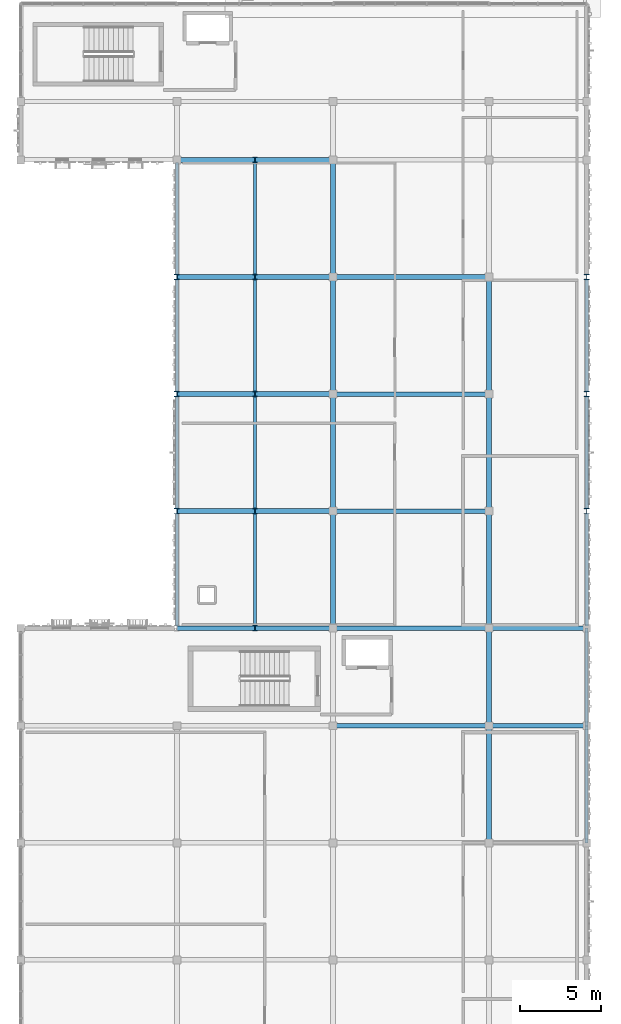
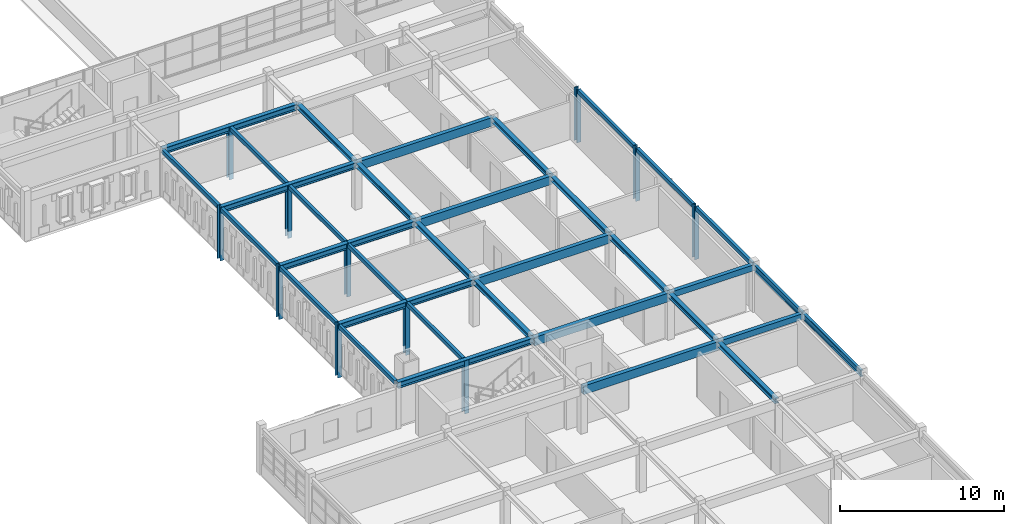
# One storey, part 14 of 53: 34 beams, 11 members.
"""IFC4 building model written with IfcOpenShell, lengths in metres."""

from ifc_helpers import new_model, si_unit, direction, frame, origin, origin_2d, place, context, subcontext, project, spatial, rectangle, hollow_rectangle, i_section, extrude, material, material_profile, profile_set, type_object, element, save


model = new_model("IFC4")

# Units and contexts
model_context = context("Model", 3, precision=1e-05, world=origin(), true_north=direction((0.0, 1.0)))
body_context = subcontext(model_context, "Body", "Model", "MODEL_VIEW")
ifc_project = project(units=[si_unit("LENGTHUNIT", "METRE"), si_unit("AREAUNIT", "SQUARE_METRE"), si_unit("VOLUMEUNIT", "CUBIC_METRE"), si_unit("PLANEANGLEUNIT", "RADIAN"), si_unit("MASSUNIT", "GRAM", prefix="KILO")], contexts=[model_context])

# Site, building, storey
site_placement = place(None, origin())
site = spatial("IfcSite", under=ifc_project, at=site_placement, CompositionType="ELEMENT")
building_placement = place(site_placement, origin())
building = spatial("IfcBuilding", under=site, at=building_placement, Name="Nzembalo Square Collegiate School", CompositionType="ELEMENT")
storey_placement = place(building_placement, frame((0.0, 0.0, 13.60009765625)))
storey = spatial("IfcBuildingStorey", under=building, at=storey_placement, Name="L03", CompositionType="ELEMENT", Elevation=13.60009765625)

# Beams
ifc_material_1 = material(Name="Glulam GL32h", Category="wood")
ifc_material_profile_1 = material_profile(ifc_material_1, rectangle(XDim=0.280029296875, YDim=0.639892578125, at=origin_2d()), Name="GL32h 280x640")
ifc_profile_set_1 = profile_set([ifc_material_profile_1], Name="Glulam GL32h")
beam_type_1 = type_object("IfcBeamType", Name="B04", PredefinedType="BEAM", material=ifc_profile_set_1)
for number, where, z_axis, x_axis, name in (
    (1, (150.0, 44.39990234375, 3.135009765625), (1.0, 0.0, 0.0), (0.0, 1.0, 0.0), "Beam B04 L03"),
    (2, (150.0, 50.39990234375, 3.135009765625), (1.0, 0.0, 0.0), (0.0, 1.0, 0.0), "Beam B04 L03"),
    (3, (150.0, 57.60009765625, 3.135009765625), (1.0, 0.0, 0.0), (0.0, 1.0, 0.0), "Beam B04 L03"),
    (4, (150.0, 64.800048828125, 3.135009765625), (1.0, 0.0, 0.0), (0.0, 1.0, 0.0), "Beam B04 L03"),
    (5, (150.0, 72.0, 3.135009765625), (1.0, 0.0, 0.0), (0.0, 1.0, 0.0), "Beam B04 L03"),
):
    element("IfcBeam", number, at=place(storey_placement, frame(where, z_axis=z_axis, x_axis=x_axis)), inside=storey, type_object=beam_type_1, Name=name, PredefinedType="BEAM", context=body_context, shape_type="SweptSolid", body=[
        extrude(rectangle(XDim=0.280029296875, YDim=0.639892578125, at=origin_2d()), origin(), (0.0, 0.0, 1.0), 9.60009765625),
    ])
ifc_material_2 = material(Name="Steel S355", Category="steel")
ifc_material_profile_2 = material_profile(ifc_material_2, i_section(OverallWidth=0.300048828125, OverallDepth=0.449951171875, WebThickness=0.013916015625, FlangeThickness=0.02587890625, at=origin_2d()), Name="HEB 450")
ifc_profile_set_2 = profile_set([ifc_material_profile_2], Name="Steel S355")
beam_type_2 = type_object("IfcBeamType", Name="B08", PredefinedType="BEAM", material=ifc_profile_set_2)
for number, where, z_axis, x_axis, name in (
    (6, (150.0, 50.39990234375, 3.22998046875), (-1.0, 0.0, 0.0), (0.0, -1.0, 0.0), "Cantilever girder B08 4B L03"),
    (7, (150.0, 57.60009765625, 3.22998046875), (-1.0, 0.0, 0.0), (0.0, -1.0, 0.0), "Cantilever girder B08 4B L03"),
    (8, (150.0, 64.800048828125, 3.22998046875), (-1.0, 0.0, 0.0), (0.0, -1.0, 0.0), "Cantilever girder B08 4B L03"),
    (9, (150.0, 72.0, 3.22998046875), (-1.0, 0.0, 0.0), (0.0, -1.0, 0.0), "Cantilever girder B08 4B L03"),
    (10, (150.0, 79.199951171875, 3.22998046875), (-1.0, 0.0, 0.0), (0.0, -1.0, 0.0), "Cantilever girder B08 4B L03"),
):
    element("IfcBeam", number, at=place(storey_placement, frame(where, z_axis=z_axis, x_axis=x_axis)), inside=storey, type_object=beam_type_2, Name=name, PredefinedType="BEAM", context=body_context, shape_type="SweptSolid", body=[
        extrude(i_section(OverallWidth=0.300048828125, OverallDepth=0.449951171875, WebThickness=0.013916015625, FlangeThickness=0.02587890625, at=origin_2d()), origin(), (0.0, 0.0, 1.0), 9.60009765625),
    ])
ifc_material_3 = material(Name="Steel S355", Category="steel")
ifc_material_profile_3 = material_profile(ifc_material_3, i_section(OverallWidth=0.18994140625, OverallDepth=0.449951171875, WebThickness=0.009521484375, FlangeThickness=0.0146484375, at=origin_2d()), Name="IPE 450")
ifc_profile_set_3 = profile_set([ifc_material_profile_3], Name="Steel S355")
beam_type_3 = type_object("IfcBeamType", Name="B09", PredefinedType="BEAM", material=ifc_profile_set_3)
beam_1_placement = place(storey_placement, frame((165.60009765625, 37.199951171875, 3.22998046875), z_axis=(0.0, 1.0, 0.0), x_axis=(-1.0, 0.0, 0.0)))
element("IfcBeam", 11, at=beam_1_placement, inside=storey, type_object=beam_type_3, Name="Beam B09 L03", PredefinedType="BEAM", context=body_context, shape_type="SweptSolid", body=[
    extrude(i_section(OverallWidth=0.18994140625, OverallDepth=0.449951171875, WebThickness=0.009521484375, FlangeThickness=0.0146484375, at=origin_2d()), origin(), (0.0, 0.0, 1.0), 7.199951171875),
])
beam_2_placement = place(storey_placement, frame((165.60009765625, 44.39990234375, 3.22998046875), z_axis=(0.0, 1.0, 0.0), x_axis=(-1.0, 0.0, 0.0)))
element("IfcBeam", 12, at=beam_2_placement, inside=storey, type_object=beam_type_3, Name="Beam B09 L03", PredefinedType="BEAM", context=body_context, shape_type="SweptSolid", body=[
    extrude(i_section(OverallWidth=0.18994140625, OverallDepth=0.449951171875, WebThickness=0.009521484375, FlangeThickness=0.0146484375, at=origin_2d()), origin(), (0.0, 0.0, 1.0), 6.0),
])
ifc_material_4 = material(Name="Steel S355", Category="steel")
ifc_material_profile_4 = material_profile(ifc_material_4, i_section(OverallWidth=0.300048828125, OverallDepth=0.35009765625, WebThickness=0.010009765625, FlangeThickness=0.017578125, at=origin_2d()), Name="HEA 360")
ifc_profile_set_4 = profile_set([ifc_material_profile_4], Name="Steel S355")
beam_type_4 = type_object("IfcBeamType", Name="B12", PredefinedType="BEAM", material=ifc_profile_set_4)
beam_3_placement = place(storey_placement, frame((150.0, 50.39990234375, 3.27978515625), z_axis=(0.0, 1.0, 0.0), x_axis=(-1.0, 0.0, 0.0)))
element("IfcBeam", 13, at=beam_3_placement, inside=storey, type_object=beam_type_4, Name="Beam B12 L03", PredefinedType="BEAM", context=body_context, shape_type="SweptSolid", body=[
    extrude(i_section(OverallWidth=0.300048828125, OverallDepth=0.35009765625, WebThickness=0.010009765625, FlangeThickness=0.017578125, at=origin_2d()), origin(), (0.0, 0.0, 1.0), 7.2001953125),
])
for number, where, z_axis, x_axis, name in (
    (14, (150.0, 57.60009765625, 3.27978515625), (0.0, 1.0, 0.0), (-1.0, 0.0, 0.0), "Beam B12 L03"),
    (15, (150.0, 64.800048828125, 3.27978515625), (0.0, 1.0, 0.0), (-1.0, 0.0, 0.0), "Beam B12 L03"),
    (16, (150.0, 72.0, 3.27978515625), (0.0, 1.0, 0.0), (-1.0, 0.0, 0.0), "Beam B12 L03"),
    (17, (159.60009765625, 37.199951171875, 3.27978515625), (0.0, 1.0, 0.0), (-1.0, 0.0, 0.0), "Beam B12 L03"),
):
    element("IfcBeam", number, at=place(storey_placement, frame(where, z_axis=z_axis, x_axis=x_axis)), inside=storey, type_object=beam_type_4, Name=name, PredefinedType="BEAM", context=body_context, shape_type="SweptSolid", body=[
        extrude(i_section(OverallWidth=0.300048828125, OverallDepth=0.35009765625, WebThickness=0.010009765625, FlangeThickness=0.017578125, at=origin_2d()), origin(), (0.0, 0.0, 1.0), 7.199951171875),
    ])
beam_4_placement = place(storey_placement, frame((159.60009765625, 44.39990234375, 3.27978515625), z_axis=(0.0, 1.0, 0.0), x_axis=(-1.0, 0.0, 0.0)))
element("IfcBeam", 18, at=beam_4_placement, inside=storey, type_object=beam_type_4, Name="Beam B12 L03", PredefinedType="BEAM", context=body_context, shape_type="SweptSolid", body=[
    extrude(i_section(OverallWidth=0.300048828125, OverallDepth=0.35009765625, WebThickness=0.010009765625, FlangeThickness=0.017578125, at=origin_2d()), origin(), (0.0, 0.0, 1.0), 6.0),
])
beam_5_placement = place(storey_placement, frame((159.60009765625, 50.39990234375, 3.27978515625), z_axis=(0.0, 1.0, 0.0), x_axis=(-1.0, 0.0, 0.0)))
element("IfcBeam", 19, at=beam_5_placement, inside=storey, type_object=beam_type_4, Name="Beam B12 L03", PredefinedType="BEAM", context=body_context, shape_type="SweptSolid", body=[
    extrude(i_section(OverallWidth=0.300048828125, OverallDepth=0.35009765625, WebThickness=0.010009765625, FlangeThickness=0.017578125, at=origin_2d()), origin(), (0.0, 0.0, 1.0), 7.2001953125),
])
for number, where, z_axis, x_axis, name in (
    (20, (159.60009765625, 57.60009765625, 3.27978515625), (0.0, 1.0, 0.0), (-1.0, 0.0, 0.0), "Beam B12 L03"),
    (21, (159.60009765625, 64.800048828125, 3.27978515625), (0.0, 1.0, 0.0), (-1.0, 0.0, 0.0), "Beam B12 L03"),
):
    element("IfcBeam", number, at=place(storey_placement, frame(where, z_axis=z_axis, x_axis=x_axis)), inside=storey, type_object=beam_type_4, Name=name, PredefinedType="BEAM", context=body_context, shape_type="SweptSolid", body=[
        extrude(i_section(OverallWidth=0.300048828125, OverallDepth=0.35009765625, WebThickness=0.010009765625, FlangeThickness=0.017578125, at=origin_2d()), origin(), (0.0, 0.0, 1.0), 7.199951171875),
    ])
ifc_material_5 = material(Name="Glulam GL32h", Category="wood")
ifc_material_profile_5 = material_profile(ifc_material_5, rectangle(XDim=0.280029296875, YDim=0.43994140625, at=origin_2d()), Name="GL32h 280x440")
ifc_profile_set_5 = profile_set([ifc_material_profile_5], Name="Glulam GL32h")
beam_type_5 = type_object("IfcBeamType", Name="B14", PredefinedType="BEAM", material=ifc_profile_set_5)
for number, where, z_axis, x_axis, name in (
    (22, (159.60009765625, 44.39990234375, 3.23486328125), (1.0, 0.0, 0.0), (0.0, 1.0, 0.0), "Beam B14 L03"),
    (23, (159.60009765625, 50.39990234375, 3.23486328125), (1.0, 0.0, 0.0), (0.0, 1.0, 0.0), "Beam B14 L03"),
):
    element("IfcBeam", number, at=place(storey_placement, frame(where, z_axis=z_axis, x_axis=x_axis)), inside=storey, type_object=beam_type_5, Name=name, PredefinedType="BEAM", context=body_context, shape_type="SweptSolid", body=[
        extrude(rectangle(XDim=0.280029296875, YDim=0.43994140625, at=origin_2d()), origin(), (0.0, 0.0, 1.0), 6.0),
    ])
ifc_material_6 = material(Name="Steel S355", Category="steel")
ifc_material_profile_6 = material_profile(ifc_material_6, hollow_rectangle(XDim=0.199951171875, YDim=0.300048828125, WallThickness=0.011962890625, at=origin_2d()), Name="RHS 300x200x12")
ifc_profile_set_6 = profile_set([ifc_material_profile_6], Name="Steel S355")
beam_type_6 = type_object("IfcBeamType", Name="SP03", PredefinedType="SPANDREL", material=ifc_profile_set_6)
for number, where, z_axis, x_axis, name in (
    (24, (165.60009765625, 50.550048828125, 3.304931640625), (0.0, 1.0, 0.0), (-1.0, 0.0, 0.0), "Cantilever edge beam SP03 4B L03"),
    (25, (140.39990234375, 50.550048828125, 3.304931640625), (0.0, 1.0, 0.0), (-1.0, 0.0, 0.0), "Cantilever edge beam SP03 4B L03"),
    (26, (145.199951171875, 50.550048828125, 3.304931640625), (0.0, 1.0, 0.0), (-1.0, 0.0, 0.0), "Cantilever edge beam SP03 4B L03"),
    (27, (165.60009765625, 57.75, 3.304931640625), (0.0, 1.0, 0.0), (-1.0, 0.0, 0.0), "Cantilever edge beam SP03 4B L03"),
    (28, (140.39990234375, 57.75, 3.304931640625), (0.0, 1.0, 0.0), (-1.0, 0.0, 0.0), "Cantilever edge beam SP03 4B L03"),
    (29, (145.199951171875, 57.75, 3.304931640625), (0.0, 1.0, 0.0), (-1.0, 0.0, 0.0), "Cantilever edge beam SP03 4B L03"),
):
    element("IfcBeam", number, at=place(storey_placement, frame(where, z_axis=z_axis, x_axis=x_axis)), inside=storey, type_object=beam_type_6, Name=name, PredefinedType="SPANDREL", context=body_context, shape_type="SweptSolid", body=[
        extrude(hollow_rectangle(XDim=0.199951171875, YDim=0.300048828125, WallThickness=0.011962890625, at=origin_2d()), origin(), (0.0, 0.0, 1.0), 6.89990234375),
    ])
for number, where, z_axis, x_axis, name in (
    (30, (165.60009765625, 64.949951171875, 3.304931640625), (0.0, 1.0, 0.0), (-1.0, 0.0, 0.0), "Cantilever edge beam SP03 4B L03"),
    (31, (140.39990234375, 64.949951171875, 3.304931640625), (0.0, 1.0, 0.0), (-1.0, 0.0, 0.0), "Cantilever edge beam SP03 4B L03"),
    (32, (145.199951171875, 64.949951171875, 3.304931640625), (0.0, 1.0, 0.0), (-1.0, 0.0, 0.0), "Cantilever edge beam SP03 4B L03"),
    (33, (140.39990234375, 72.14990234375, 3.304931640625), (0.0, 1.0, 0.0), (-1.0, 0.0, 0.0), "Cantilever edge beam SP03 4B L03"),
    (34, (145.199951171875, 72.14990234375, 3.304931640625), (0.0, 1.0, 0.0), (-1.0, 0.0, 0.0), "Cantilever edge beam SP03 4B L03"),
):
    element("IfcBeam", number, at=place(storey_placement, frame(where, z_axis=z_axis, x_axis=x_axis)), inside=storey, type_object=beam_type_6, Name=name, PredefinedType="SPANDREL", context=body_context, shape_type="SweptSolid", body=[
        extrude(hollow_rectangle(XDim=0.199951171875, YDim=0.300048828125, WallThickness=0.011962890625, at=origin_2d()), origin(), (0.0, 0.0, 1.0), 6.900146484375),
    ])

# Members
ifc_material_7 = material(Name="Steel S355", Category="steel")
ifc_material_profile_7 = material_profile(ifc_material_7, i_section(OverallWidth=0.300048828125, OverallDepth=0.340087890625, WebThickness=0.011962890625, FlangeThickness=0.021484375, at=origin_2d()), Name="HEB 340")
ifc_profile_set_7 = profile_set([ifc_material_profile_7], Name="Steel S355")
member_type = type_object("IfcMemberType", Name="TP03", PredefinedType="POST", material=ifc_profile_set_7)
for number, where, z_axis, x_axis, name in (
    (35, (145.199951171875, 50.39990234375, -0.52001953125), (0.0, 0.0, 1.0), (1.0, 0.0, 0.0), "TT-4B-01 upper pavilion post L03-3"),
    (36, (165.60009765625, 57.60009765625, -0.52001953125), (0.0, 0.0, 1.0), (1.0, 0.0, 0.0), "TT-4B-02 upper pavilion post L03-0"),
    (37, (145.199951171875, 57.60009765625, -0.52001953125), (0.0, 0.0, 1.0), (1.0, 0.0, 0.0), "TT-4B-02 upper pavilion post L03-3"),
    (38, (140.39990234375, 57.60009765625, -0.52001953125), (0.0, 0.0, 1.0), (1.0, 0.0, 0.0), "TT-4B-02 upper pavilion post L03-4"),
    (39, (165.60009765625, 64.800048828125, -0.52001953125), (0.0, 0.0, 1.0), (1.0, 0.0, 0.0), "TT-4B-03 upper pavilion post L03-0"),
    (40, (145.199951171875, 64.800048828125, -0.52001953125), (0.0, 0.0, 1.0), (1.0, 0.0, 0.0), "TT-4B-03 upper pavilion post L03-3"),
    (41, (140.39990234375, 64.800048828125, -0.52001953125), (0.0, 0.0, 1.0), (1.0, 0.0, 0.0), "TT-4B-03 upper pavilion post L03-4"),
    (42, (165.60009765625, 72.0, -0.52001953125), (0.0, 0.0, 1.0), (1.0, 0.0, 0.0), "TT-4B-04 upper pavilion post L03-0"),
    (43, (145.199951171875, 72.0, -0.52001953125), (0.0, 0.0, 1.0), (1.0, 0.0, 0.0), "TT-4B-04 upper pavilion post L03-3"),
    (44, (140.39990234375, 72.0, -0.52001953125), (0.0, 0.0, 1.0), (1.0, 0.0, 0.0), "TT-4B-04 upper pavilion post L03-4"),
    (45, (145.199951171875, 79.199951171875, -0.52001953125), (0.0, 0.0, 1.0), (1.0, 0.0, 0.0), "TT-4B-05 upper pavilion post L03-3"),
):
    element("IfcMember", number, at=place(storey_placement, frame(where, z_axis=z_axis, x_axis=x_axis)), inside=storey, type_object=member_type, Name=name, PredefinedType="POST", context=body_context, shape_type="SweptSolid", body=[
        extrude(i_section(OverallWidth=0.300048828125, OverallDepth=0.340087890625, WebThickness=0.011962890625, FlangeThickness=0.021484375, at=origin_2d()), origin(), (0.0, 0.0, 1.0), 3.974853515625),
    ])

save(model, "model.ifc")
